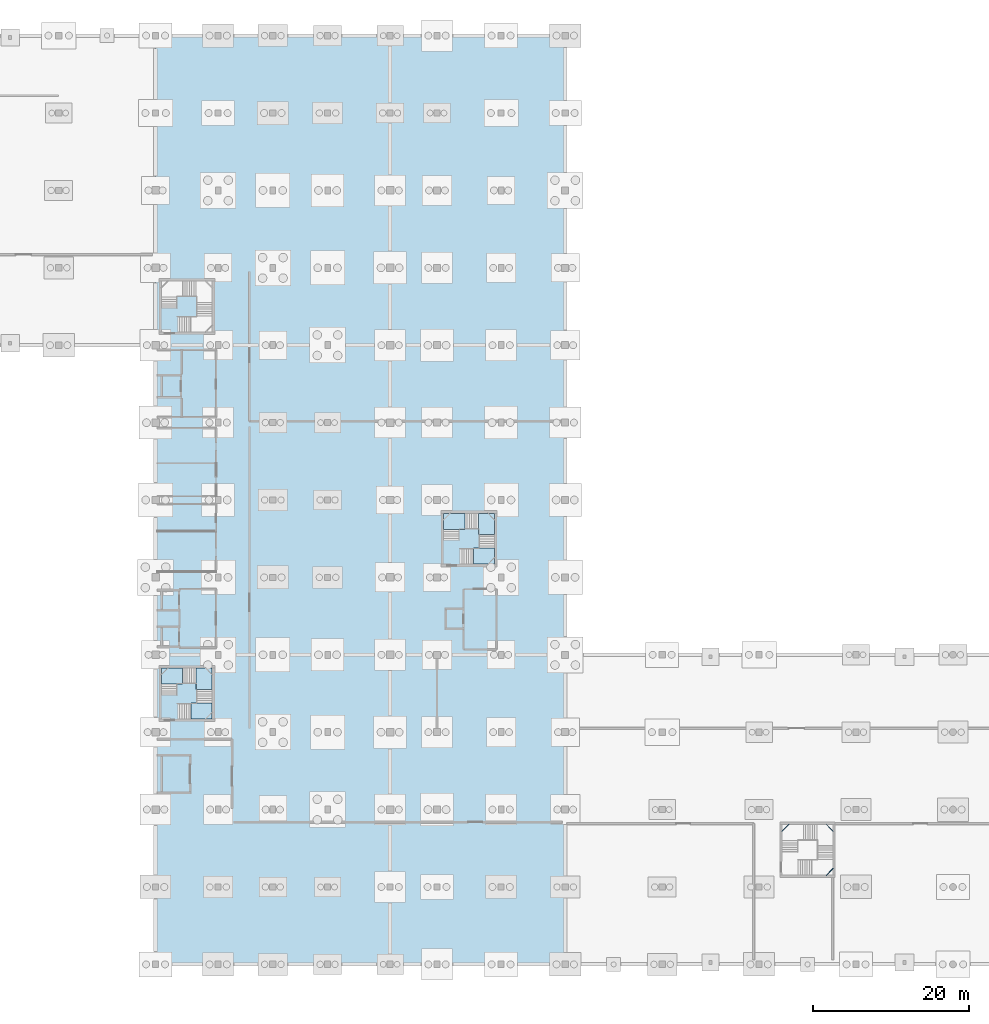
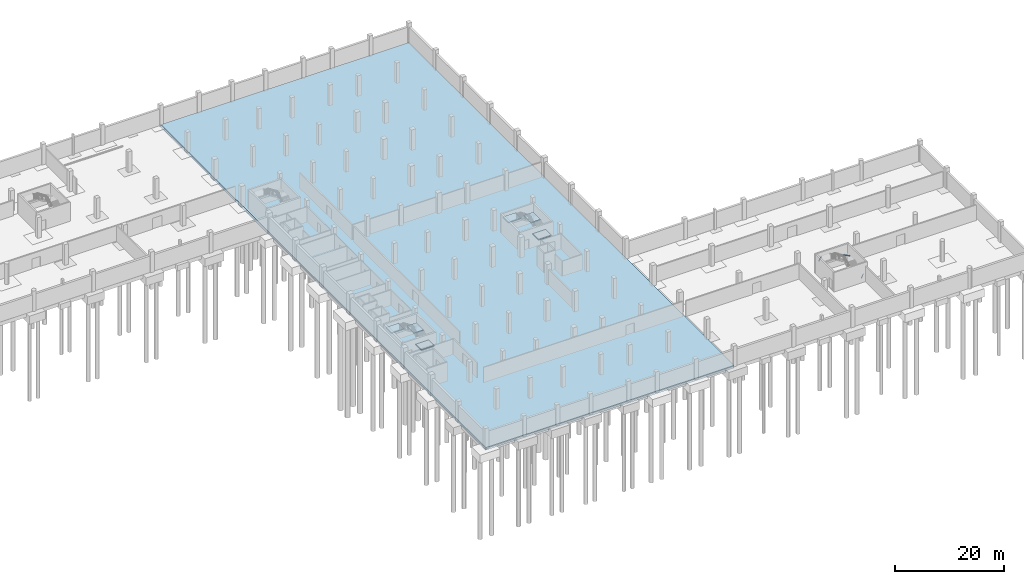
# One storey, part 10 of 30: 7 slabs, 3 beams, 2 elements without a shape of their own.
"""IFC4 building model written with IfcOpenShell, lengths in metres."""

from ifc_helpers import new_model, si_unit, direction, frame, origin, origin_2d, place, context, subcontext, project, spatial, polyline, hollow_rectangle, outline, extrude, material, layer, layer_set, material_profile, profile_set, type_object, element, aggregate, save


model = new_model("IFC4")

# Units and contexts
model_context = context("Model", 3, precision=1e-05, world=origin(), true_north=direction((0.0, 1.0)))
body_context = subcontext(model_context, "Body", "Model", "MODEL_VIEW")
ifc_project = project(units=[si_unit("LENGTHUNIT", "METRE"), si_unit("AREAUNIT", "SQUARE_METRE"), si_unit("VOLUMEUNIT", "CUBIC_METRE"), si_unit("PLANEANGLEUNIT", "RADIAN"), si_unit("MASSUNIT", "GRAM", prefix="KILO")], contexts=[model_context])

# Site, building, storey
site_placement = place(None, origin())
site = spatial("IfcSite", under=ifc_project, at=site_placement, CompositionType="ELEMENT")
building_placement = place(site_placement, origin())
building = spatial("IfcBuilding", under=site, at=building_placement, Name="Sillaruma Civic Art Gallery", CompositionType="ELEMENT")
storey_placement = place(building_placement, frame((0.0, 0.0, -9.179931640625)))
storey = spatial("IfcBuildingStorey", under=building, at=storey_placement, Name="B02", CompositionType="ELEMENT", Elevation=-9.179931640625)

# Beams
ifc_material_1 = material(Name="Structural Steel ASTM A500 Gr.C", Category="steel")
ifc_material_profile = material_profile(ifc_material_1, hollow_rectangle(XDim=0.080078125, YDim=0.159912109375, WallThickness=0.008056640625, InnerFilletRadius=0.008056640625, OuterFilletRadius=0.01611328125, at=origin_2d()), Name="HSS160x80x8")
ifc_profile_set = profile_set([ifc_material_profile], Name="Structural Steel ASTM A500 Gr.C")
beam_type = type_object("IfcBeamType", Name="BM-LND-HSS160", PredefinedType="BEAM", material=ifc_profile_set)
for number, where, z_axis, x_axis, name in (
    (1, (147.7900390625, 11.360107421875, 0.909912109375), (0.707106781187, 0.707106781187, 0.0), (-0.707106781187, 0.707106781187, 0.0), "Stair Corner Landing Trimmer Beam (ST-05-B02-1)"),
    (2, (147.7900390625, 17.919921875, 2.099853515625), (0.707106781187, -0.707106781187, 0.0), (0.707106781187, 0.707106781187, 0.0), "Stair Corner Landing Trimmer Beam (ST-05-B02-2)"),
    (3, (142.1201171875, 17.030029296875, 3.2900390625), (0.707106781187, 0.707106781187, 0.0), (-0.707106781187, 0.707106781187, 0.0), "Stair Corner Landing Trimmer Beam (ST-05-B02-3)"),
):
    element("IfcBeam", number, at=place(storey_placement, frame(where, z_axis=z_axis, x_axis=x_axis)), inside=storey, type_object=beam_type, Name=name, PredefinedType="BEAM", context=body_context, shape_type="SweptSolid", body=[
        extrude(hollow_rectangle(XDim=0.080078125, YDim=0.159912109375, WallThickness=0.008056640625, InnerFilletRadius=0.008056640625, OuterFilletRadius=0.01611328125, at=origin_2d()), origin(), (0.0, 0.0, 1.0), 1.258544921875),
    ])

# Slab
ifc_material_2 = material(Name="Concrete H35 (35 MPa)", Category="concrete")
ifc_layer_1 = layer(ifc_material_2, 0.60009765625, Name="Concrete H35 (35 MPa)")
ifc_layer_set_1 = layer_set([ifc_layer_1], Name="Concrete H35 (35 MPa)")
slab_type_1 = type_object("IfcSlabType", Name="SLB-BASE-600", PredefinedType="BASESLAB", material=ifc_layer_set_1)
slab_1_placement = place(storey_placement, frame((0.0, 0.0, -0.60009765625)))
element("IfcSlab", 4, at=slab_1_placement, inside=storey, type_object=slab_type_1, Name="Base Slab SB-600 (SLB-B02-CENT)", PredefinedType="BASESLAB", context=body_context, shape_type="SweptSolid", body=[
    extrude(outline(polyline([(62.0, 0.0), (114.39990234375, 0.0), (114.39990234375, 118.800048828125), (62.0, 118.800048828125), (62.0, 0.0)])), origin(), (0.0, 0.0, 1.0), 0.60009765625),
])

# Stair, slabs
stair_type = type_object("IfcStairType", Name="STR-4F-27", PredefinedType="USERDEFINED", material=ifc_material_2)
stair_1_placement = place(storey_placement, origin())
stair_1 = element("IfcStair", 5, at=stair_1_placement, inside=storey, type_object=stair_type, Name="Protected Exit Stair ST-03 (West Bar South) (B02)", ObjectType="THREE_RETURN_STAIR", PredefinedType="USERDEFINED")
ifc_layer_2 = layer(ifc_material_2, 0.199951171875, Name="Concrete H35 (35 MPa)")
ifc_layer_set_2 = layer_set([ifc_layer_2], Name="Concrete H35 (35 MPa)")
slab_type_2 = type_object("IfcSlabType", Name="SLB-LND-200", PredefinedType="LANDING", material=ifc_layer_set_2)
slab_2_placement = place(storey_placement, frame((0.0, 0.0, 0.989990234375)))
slab_2 = element("IfcSlab", 6, at=slab_2_placement, type_object=slab_type_2, Name="ST-03 landing 1", PredefinedType="LANDING", context=body_context, shape_type="SweptSolid", body=[
    extrude(outline(polyline([(66.5400390625, 31.409912109375), (69.239990234375, 31.409912109375), (69.239990234375, 33.449951171875), (66.5400390625, 33.449951171875), (66.5400390625, 31.409912109375)])), origin(), (0.0, 0.0, 1.0), 0.199951171875),
])
slab_3_placement = place(storey_placement, frame((0.0, 0.0, 2.179931640625)))
slab_3 = element("IfcSlab", 7, at=slab_3_placement, type_object=slab_type_2, Name="ST-03 landing 2", PredefinedType="LANDING", context=body_context, shape_type="SweptSolid", body=[
    extrude(outline(polyline([(67.199951171875, 35.18994140625), (69.239990234375, 35.18994140625), (69.239990234375, 37.889892578125), (67.199951171875, 37.889892578125), (67.199951171875, 35.18994140625)])), origin(), (0.0, 0.0, 1.0), 0.199951171875),
])
slab_4_placement = place(storey_placement, frame((0.0, 0.0, 3.369873046875)))
slab_4 = element("IfcSlab", 8, at=slab_4_placement, type_object=slab_type_2, Name="ST-03 landing 3", PredefinedType="LANDING", context=body_context, shape_type="SweptSolid", body=[
    extrude(outline(polyline([(62.760009765625, 35.85009765625), (65.4599609375, 35.85009765625), (65.4599609375, 37.889892578125), (62.760009765625, 37.889892578125), (62.760009765625, 35.85009765625)])), origin(), (0.0, 0.0, 1.0), 0.199951171875),
])
aggregate(stair_1, [slab_2, slab_3, slab_4])

stair_2_placement = place(storey_placement, origin())
stair_2 = element("IfcStair", 9, at=stair_2_placement, inside=storey, type_object=stair_type, Name="Protected Exit Stair ST-04 (East Bar) (B02)", ObjectType="THREE_RETURN_STAIR", PredefinedType="USERDEFINED")
slab_5_placement = place(storey_placement, frame((0.0, 0.0, 0.989990234375)))
slab_5 = element("IfcSlab", 10, at=slab_5_placement, type_object=slab_type_2, Name="ST-04 landing 1", PredefinedType="LANDING", context=body_context, shape_type="SweptSolid", body=[
    extrude(outline(polyline([(102.639892578125, 51.2099609375), (105.340087890625, 51.2099609375), (105.340087890625, 53.25), (102.639892578125, 53.25), (102.639892578125, 51.2099609375)])), origin(), (0.0, 0.0, 1.0), 0.199951171875),
])
slab_6_placement = place(storey_placement, frame((0.0, 0.0, 2.179931640625)))
slab_6 = element("IfcSlab", 11, at=slab_6_placement, type_object=slab_type_2, Name="ST-04 landing 2", PredefinedType="LANDING", context=body_context, shape_type="SweptSolid", body=[
    extrude(outline(polyline([(103.300048828125, 54.989990234375), (105.340087890625, 54.989990234375), (105.340087890625, 57.68994140625), (103.300048828125, 57.68994140625), (103.300048828125, 54.989990234375)])), origin(), (0.0, 0.0, 1.0), 0.199951171875),
])
slab_7_placement = place(storey_placement, frame((0.0, 0.0, 3.369873046875)))
slab_7 = element("IfcSlab", 12, at=slab_7_placement, type_object=slab_type_2, Name="ST-04 landing 3", PredefinedType="LANDING", context=body_context, shape_type="SweptSolid", body=[
    extrude(outline(polyline([(98.860107421875, 55.64990234375), (101.56005859375, 55.64990234375), (101.56005859375, 57.68994140625), (98.860107421875, 57.68994140625), (98.860107421875, 55.64990234375)])), origin(), (0.0, 0.0, 1.0), 0.199951171875),
])
aggregate(stair_2, [slab_5, slab_6, slab_7])

save(model, "model.ifc")
